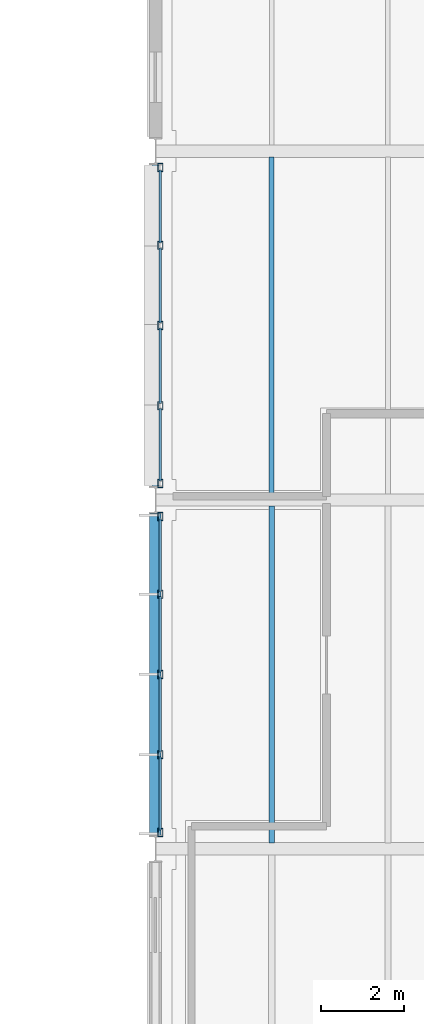
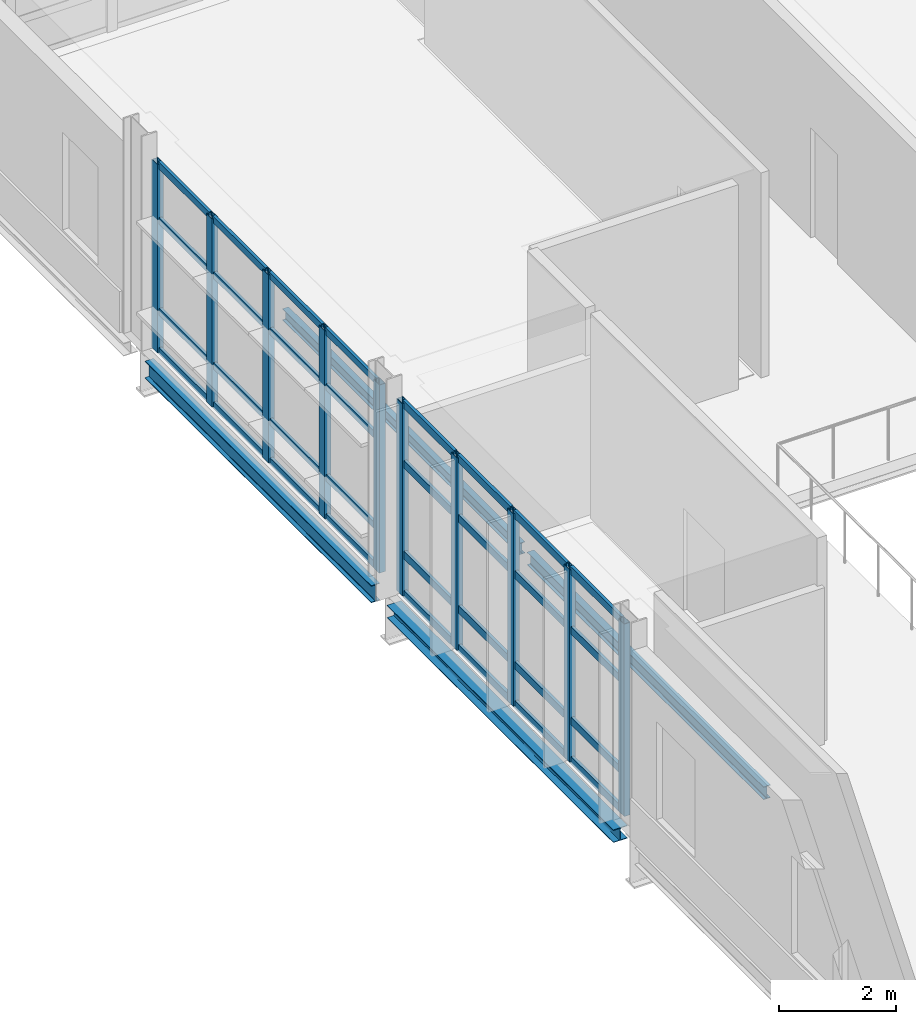
# One storey, part 44 of 129: 42 members, 4 beams, 2 elements without a shape of their own.
"""IFC4 building model written with IfcOpenShell, lengths in metres."""

from ifc_helpers import new_model, si_unit, direction, frame, origin, origin_2d, place, context, subcontext, project, spatial, hollow_rectangle, i_section, extrude, material, material_profile, profile_set, type_object, element, aggregate, save


model = new_model("IFC4")

# Units and contexts
model_context = context("Model", 3, precision=1e-05, world=origin(), true_north=direction((0.0, 1.0)))
body_context = subcontext(model_context, "Body", "Model", "MODEL_VIEW")
ifc_project = project(units=[si_unit("LENGTHUNIT", "METRE"), si_unit("AREAUNIT", "SQUARE_METRE"), si_unit("VOLUMEUNIT", "CUBIC_METRE"), si_unit("PLANEANGLEUNIT", "RADIAN"), si_unit("MASSUNIT", "GRAM", prefix="KILO")], contexts=[model_context])

# Site, building, storey
site_placement = place(None, origin())
site = spatial("IfcSite", under=ifc_project, at=site_placement, CompositionType="ELEMENT")
building_placement = place(site_placement, origin())
building = spatial("IfcBuilding", under=site, at=building_placement, Name="Mersafa Astral City Hall", CompositionType="ELEMENT")
storey_placement = place(building_placement, frame((0.0, 0.0, 5.39990234375)))
storey = spatial("IfcBuildingStorey", under=building, at=storey_placement, Name="L01", CompositionType="ELEMENT", Elevation=5.39990234375)

# Curtain wall, members
ifc_material_1 = material(Name="Anodised bronze aluminium framing", Category="aluminium")
curtain_wall_type_1 = type_object("IfcCurtainWallType", Name="ENV-CW-4", PredefinedType="USERDEFINED", material=ifc_material_1)
curtain_wall_1_placement = place(storey_placement, origin())
curtain_wall_1 = element("IfcCurtainWall", 1, at=curtain_wall_1_placement, inside=storey, type_object=curtain_wall_type_1, Name="L01 Unitised solar curtain wall 93", ObjectType="UNITISED CURTAIN WALL", PredefinedType="USERDEFINED")
ifc_material_profile_1 = material_profile(ifc_material_1, hollow_rectangle(XDim=0.1201171875, YDim=0.199951171875, WallThickness=0.008056640625, at=origin_2d()), Name="RHS 120x200x8")
ifc_profile_set_1 = profile_set([ifc_material_profile_1], Name="Anodised bronze aluminium framing")
member_type_1 = type_object("IfcMemberType", Name="ENV-CW-MUL-2", PredefinedType="MULLION", material=ifc_profile_set_1)
member_1_placement = place(storey_placement, frame((92.52001953125, 83.60302734375, -0.001953125), z_axis=(0.0, 0.0, 1.0), x_axis=(1.0, 0.0, 0.0)))
member_1 = element("IfcMember", 2, at=member_1_placement, type_object=member_type_1, Name="CW-4 mullion 1", PredefinedType="MULLION", context=body_context, shape_type="SweptSolid", body=[
    extrude(hollow_rectangle(XDim=0.1201171875, YDim=0.199951171875, WallThickness=0.008056640625, at=origin_2d()), origin(), (0.0, 0.0, 1.0), 3.93896484375),
])
member_2_placement = place(storey_placement, frame((92.52001953125, 81.7314453125, -0.001953125), z_axis=(0.0, 0.0, 1.0), x_axis=(1.0, 0.0, 0.0)))
member_2 = element("IfcMember", 3, at=member_2_placement, type_object=member_type_1, Name="CW-4 mullion 2", PredefinedType="MULLION", context=body_context, shape_type="SweptSolid", body=[
    extrude(hollow_rectangle(XDim=0.1201171875, YDim=0.199951171875, WallThickness=0.008056640625, at=origin_2d()), origin(), (0.0, 0.0, 1.0), 3.93896484375),
])
member_3_placement = place(storey_placement, frame((92.52001953125, 79.800048828125, -0.001953125), z_axis=(0.0, 0.0, 1.0), x_axis=(1.0, 0.0, 0.0)))
member_3 = element("IfcMember", 4, at=member_3_placement, type_object=member_type_1, Name="CW-4 mullion 3", PredefinedType="MULLION", context=body_context, shape_type="SweptSolid", body=[
    extrude(hollow_rectangle(XDim=0.1201171875, YDim=0.199951171875, WallThickness=0.008056640625, at=origin_2d()), origin(), (0.0, 0.0, 1.0), 3.93896484375),
])
member_4_placement = place(storey_placement, frame((92.52001953125, 77.868408203125, -0.001953125), z_axis=(0.0, 0.0, 1.0), x_axis=(1.0, 0.0, 0.0)))
member_4 = element("IfcMember", 5, at=member_4_placement, type_object=member_type_1, Name="CW-4 mullion 4", PredefinedType="MULLION", context=body_context, shape_type="SweptSolid", body=[
    extrude(hollow_rectangle(XDim=0.1201171875, YDim=0.199951171875, WallThickness=0.008056640625, at=origin_2d()), origin(), (0.0, 0.0, 1.0), 3.93896484375),
])
member_5_placement = place(storey_placement, frame((92.52001953125, 75.9970703125, -0.001953125), z_axis=(0.0, 0.0, 1.0), x_axis=(1.0, 0.0, 0.0)))
member_5 = element("IfcMember", 6, at=member_5_placement, type_object=member_type_1, Name="CW-4 mullion 5", PredefinedType="MULLION", context=body_context, shape_type="SweptSolid", body=[
    extrude(hollow_rectangle(XDim=0.1201171875, YDim=0.199951171875, WallThickness=0.008056640625, at=origin_2d()), origin(), (0.0, 0.0, 1.0), 3.93896484375),
])

curtain_wall_type_2 = type_object("IfcCurtainWallType", Name="ENV-CW-5", PredefinedType="USERDEFINED", material=ifc_material_1)
curtain_wall_2_placement = place(storey_placement, origin())
curtain_wall_2 = element("IfcCurtainWall", 7, at=curtain_wall_2_placement, inside=storey, type_object=curtain_wall_type_2, Name="L01 Unitised solar curtain wall 94", ObjectType="UNITISED CURTAIN WALL", PredefinedType="USERDEFINED")
member_6_placement = place(storey_placement, frame((92.52001953125, 75.202880859375, -0.001953125), z_axis=(0.0, 0.0, 1.0), x_axis=(1.0, 0.0, 0.0)))
member_6 = element("IfcMember", 8, at=member_6_placement, type_object=member_type_1, Name="CW-5 mullion 1", PredefinedType="MULLION", context=body_context, shape_type="SweptSolid", body=[
    extrude(hollow_rectangle(XDim=0.1201171875, YDim=0.199951171875, WallThickness=0.008056640625, at=origin_2d()), origin(), (0.0, 0.0, 1.0), 4.029052734375),
])
member_7_placement = place(storey_placement, frame((92.52001953125, 73.33154296875, -0.001953125), z_axis=(0.0, 0.0, 1.0), x_axis=(1.0, 0.0, 0.0)))
member_7 = element("IfcMember", 9, at=member_7_placement, type_object=member_type_1, Name="CW-5 mullion 2", PredefinedType="MULLION", context=body_context, shape_type="SweptSolid", body=[
    extrude(hollow_rectangle(XDim=0.1201171875, YDim=0.199951171875, WallThickness=0.008056640625, at=origin_2d()), origin(), (0.0, 0.0, 1.0), 4.029052734375),
])
member_8_placement = place(storey_placement, frame((92.52001953125, 71.39990234375, -0.001953125), z_axis=(0.0, 0.0, 1.0), x_axis=(1.0, 0.0, 0.0)))
member_8 = element("IfcMember", 10, at=member_8_placement, type_object=member_type_1, Name="CW-5 mullion 3", PredefinedType="MULLION", context=body_context, shape_type="SweptSolid", body=[
    extrude(hollow_rectangle(XDim=0.1201171875, YDim=0.199951171875, WallThickness=0.008056640625, at=origin_2d()), origin(), (0.0, 0.0, 1.0), 4.029052734375),
])
member_9_placement = place(storey_placement, frame((92.52001953125, 69.468505859375, -0.001953125), z_axis=(0.0, 0.0, 1.0), x_axis=(1.0, 0.0, 0.0)))
member_9 = element("IfcMember", 11, at=member_9_placement, type_object=member_type_1, Name="CW-5 mullion 4", PredefinedType="MULLION", context=body_context, shape_type="SweptSolid", body=[
    extrude(hollow_rectangle(XDim=0.1201171875, YDim=0.199951171875, WallThickness=0.008056640625, at=origin_2d()), origin(), (0.0, 0.0, 1.0), 4.029052734375),
])
member_10_placement = place(storey_placement, frame((92.52001953125, 67.596923828125, -0.001953125), z_axis=(0.0, 0.0, 1.0), x_axis=(1.0, 0.0, 0.0)))
member_10 = element("IfcMember", 12, at=member_10_placement, type_object=member_type_1, Name="CW-5 mullion 5", PredefinedType="MULLION", context=body_context, shape_type="SweptSolid", body=[
    extrude(hollow_rectangle(XDim=0.1201171875, YDim=0.199951171875, WallThickness=0.008056640625, at=origin_2d()), origin(), (0.0, 0.0, 1.0), 4.029052734375),
])

# Member
ifc_material_profile_2 = material_profile(ifc_material_1, hollow_rectangle(XDim=0.06005859375, YDim=0.139892578125, WallThickness=0.00390625, at=origin_2d()), Name="RHS 60x140x4")
ifc_profile_set_2 = profile_set([ifc_material_profile_2], Name="Anodised bronze aluminium framing")
member_type_2 = type_object("IfcMemberType", Name="ENV-CW-TRN-1", PredefinedType="USERDEFINED", material=ifc_profile_set_2)
member_11_placement = place(storey_placement, frame((92.52001953125, 83.54296875, 0.028076171875), z_axis=(0.0, -1.0, 0.0), x_axis=(1.0, 0.0, 0.0)))
member_11 = element("IfcMember", 13, at=member_11_placement, type_object=member_type_2, Name="CW-4 transom 1.1", ObjectType="TRANSOM", PredefinedType="USERDEFINED", context=body_context, shape_type="SweptSolid", body=[
    extrude(hollow_rectangle(XDim=0.06005859375, YDim=0.139892578125, WallThickness=0.00390625, at=origin_2d()), origin(), (0.0, 0.0, 1.0), 1.75146484375),
])

member_12_placement = place(storey_placement, frame((92.52001953125, 83.54296875, 0.85009765625), z_axis=(0.0, -1.0, 0.0), x_axis=(1.0, 0.0, 0.0)))
member_12 = element("IfcMember", 14, at=member_12_placement, type_object=member_type_2, Name="CW-4 transom 1.2", ObjectType="TRANSOM", PredefinedType="USERDEFINED", context=body_context, shape_type="SweptSolid", body=[
    extrude(hollow_rectangle(XDim=0.06005859375, YDim=0.139892578125, WallThickness=0.00390625, at=origin_2d()), origin(), (0.0, 0.0, 1.0), 1.75146484375),
])

member_13_placement = place(storey_placement, frame((92.52001953125, 83.54296875, 2.75), z_axis=(0.0, -1.0, 0.0), x_axis=(1.0, 0.0, 0.0)))
member_13 = element("IfcMember", 15, at=member_13_placement, type_object=member_type_2, Name="CW-4 transom 1.3", ObjectType="TRANSOM", PredefinedType="USERDEFINED", context=body_context, shape_type="SweptSolid", body=[
    extrude(hollow_rectangle(XDim=0.06005859375, YDim=0.139892578125, WallThickness=0.00390625, at=origin_2d()), origin(), (0.0, 0.0, 1.0), 1.75146484375),
])

member_14_placement = place(storey_placement, frame((92.52001953125, 83.54296875, 3.906982421875), z_axis=(0.0, -1.0, 0.0), x_axis=(1.0, 0.0, 0.0)))
member_14 = element("IfcMember", 16, at=member_14_placement, type_object=member_type_2, Name="CW-4 transom 1.4", ObjectType="TRANSOM", PredefinedType="USERDEFINED", context=body_context, shape_type="SweptSolid", body=[
    extrude(hollow_rectangle(XDim=0.06005859375, YDim=0.139892578125, WallThickness=0.00390625, at=origin_2d()), origin(), (0.0, 0.0, 1.0), 1.75146484375),
])

member_15_placement = place(storey_placement, frame((92.52001953125, 81.67138671875, 0.028076171875), z_axis=(0.0, -1.0, 0.0), x_axis=(1.0, 0.0, 0.0)))
member_15 = element("IfcMember", 17, at=member_15_placement, type_object=member_type_2, Name="CW-4 transom 2.1", ObjectType="TRANSOM", PredefinedType="USERDEFINED", context=body_context, shape_type="SweptSolid", body=[
    extrude(hollow_rectangle(XDim=0.06005859375, YDim=0.139892578125, WallThickness=0.00390625, at=origin_2d()), origin(), (0.0, 0.0, 1.0), 1.811279296875),
])

member_16_placement = place(storey_placement, frame((92.52001953125, 81.67138671875, 0.85009765625), z_axis=(0.0, -1.0, 0.0), x_axis=(1.0, 0.0, 0.0)))
member_16 = element("IfcMember", 18, at=member_16_placement, type_object=member_type_2, Name="CW-4 transom 2.2", ObjectType="TRANSOM", PredefinedType="USERDEFINED", context=body_context, shape_type="SweptSolid", body=[
    extrude(hollow_rectangle(XDim=0.06005859375, YDim=0.139892578125, WallThickness=0.00390625, at=origin_2d()), origin(), (0.0, 0.0, 1.0), 1.811279296875),
])

member_17_placement = place(storey_placement, frame((92.52001953125, 81.67138671875, 2.75), z_axis=(0.0, -1.0, 0.0), x_axis=(1.0, 0.0, 0.0)))
member_17 = element("IfcMember", 19, at=member_17_placement, type_object=member_type_2, Name="CW-4 transom 2.3", ObjectType="TRANSOM", PredefinedType="USERDEFINED", context=body_context, shape_type="SweptSolid", body=[
    extrude(hollow_rectangle(XDim=0.06005859375, YDim=0.139892578125, WallThickness=0.00390625, at=origin_2d()), origin(), (0.0, 0.0, 1.0), 1.811279296875),
])

member_18_placement = place(storey_placement, frame((92.52001953125, 81.67138671875, 3.906982421875), z_axis=(0.0, -1.0, 0.0), x_axis=(1.0, 0.0, 0.0)))
member_18 = element("IfcMember", 20, at=member_18_placement, type_object=member_type_2, Name="CW-4 transom 2.4", ObjectType="TRANSOM", PredefinedType="USERDEFINED", context=body_context, shape_type="SweptSolid", body=[
    extrude(hollow_rectangle(XDim=0.06005859375, YDim=0.139892578125, WallThickness=0.00390625, at=origin_2d()), origin(), (0.0, 0.0, 1.0), 1.811279296875),
])

member_19_placement = place(storey_placement, frame((92.52001953125, 79.739990234375, 0.028076171875), z_axis=(0.0, -1.0, 0.0), x_axis=(1.0, 0.0, 0.0)))
member_19 = element("IfcMember", 21, at=member_19_placement, type_object=member_type_2, Name="CW-4 transom 3.1", ObjectType="TRANSOM", PredefinedType="USERDEFINED", context=body_context, shape_type="SweptSolid", body=[
    extrude(hollow_rectangle(XDim=0.06005859375, YDim=0.139892578125, WallThickness=0.00390625, at=origin_2d()), origin(), (0.0, 0.0, 1.0), 1.8115234375),
])

member_20_placement = place(storey_placement, frame((92.52001953125, 79.739990234375, 0.85009765625), z_axis=(0.0, -1.0, 0.0), x_axis=(1.0, 0.0, 0.0)))
member_20 = element("IfcMember", 22, at=member_20_placement, type_object=member_type_2, Name="CW-4 transom 3.2", ObjectType="TRANSOM", PredefinedType="USERDEFINED", context=body_context, shape_type="SweptSolid", body=[
    extrude(hollow_rectangle(XDim=0.06005859375, YDim=0.139892578125, WallThickness=0.00390625, at=origin_2d()), origin(), (0.0, 0.0, 1.0), 1.8115234375),
])

member_21_placement = place(storey_placement, frame((92.52001953125, 79.739990234375, 2.75), z_axis=(0.0, -1.0, 0.0), x_axis=(1.0, 0.0, 0.0)))
member_21 = element("IfcMember", 23, at=member_21_placement, type_object=member_type_2, Name="CW-4 transom 3.3", ObjectType="TRANSOM", PredefinedType="USERDEFINED", context=body_context, shape_type="SweptSolid", body=[
    extrude(hollow_rectangle(XDim=0.06005859375, YDim=0.139892578125, WallThickness=0.00390625, at=origin_2d()), origin(), (0.0, 0.0, 1.0), 1.8115234375),
])

member_22_placement = place(storey_placement, frame((92.52001953125, 79.739990234375, 3.906982421875), z_axis=(0.0, -1.0, 0.0), x_axis=(1.0, 0.0, 0.0)))
member_22 = element("IfcMember", 24, at=member_22_placement, type_object=member_type_2, Name="CW-4 transom 3.4", ObjectType="TRANSOM", PredefinedType="USERDEFINED", context=body_context, shape_type="SweptSolid", body=[
    extrude(hollow_rectangle(XDim=0.06005859375, YDim=0.139892578125, WallThickness=0.00390625, at=origin_2d()), origin(), (0.0, 0.0, 1.0), 1.8115234375),
])

member_23_placement = place(storey_placement, frame((92.52001953125, 77.80859375, 0.028076171875), z_axis=(0.0, -1.0, 0.0), x_axis=(1.0, 0.0, 0.0)))
member_23 = element("IfcMember", 25, at=member_23_placement, type_object=member_type_2, Name="CW-4 transom 4.1", ObjectType="TRANSOM", PredefinedType="USERDEFINED", context=body_context, shape_type="SweptSolid", body=[
    extrude(hollow_rectangle(XDim=0.06005859375, YDim=0.139892578125, WallThickness=0.00390625, at=origin_2d()), origin(), (0.0, 0.0, 1.0), 1.751708984375),
])

member_24_placement = place(storey_placement, frame((92.52001953125, 77.80859375, 0.85009765625), z_axis=(0.0, -1.0, 0.0), x_axis=(1.0, 0.0, 0.0)))
member_24 = element("IfcMember", 26, at=member_24_placement, type_object=member_type_2, Name="CW-4 transom 4.2", ObjectType="TRANSOM", PredefinedType="USERDEFINED", context=body_context, shape_type="SweptSolid", body=[
    extrude(hollow_rectangle(XDim=0.06005859375, YDim=0.139892578125, WallThickness=0.00390625, at=origin_2d()), origin(), (0.0, 0.0, 1.0), 1.751708984375),
])

member_25_placement = place(storey_placement, frame((92.52001953125, 77.80859375, 2.75), z_axis=(0.0, -1.0, 0.0), x_axis=(1.0, 0.0, 0.0)))
member_25 = element("IfcMember", 27, at=member_25_placement, type_object=member_type_2, Name="CW-4 transom 4.3", ObjectType="TRANSOM", PredefinedType="USERDEFINED", context=body_context, shape_type="SweptSolid", body=[
    extrude(hollow_rectangle(XDim=0.06005859375, YDim=0.139892578125, WallThickness=0.00390625, at=origin_2d()), origin(), (0.0, 0.0, 1.0), 1.751708984375),
])

member_26_placement = place(storey_placement, frame((92.52001953125, 77.80859375, 3.906982421875), z_axis=(0.0, -1.0, 0.0), x_axis=(1.0, 0.0, 0.0)))
member_26 = element("IfcMember", 28, at=member_26_placement, type_object=member_type_2, Name="CW-4 transom 4.4", ObjectType="TRANSOM", PredefinedType="USERDEFINED", context=body_context, shape_type="SweptSolid", body=[
    extrude(hollow_rectangle(XDim=0.06005859375, YDim=0.139892578125, WallThickness=0.00390625, at=origin_2d()), origin(), (0.0, 0.0, 1.0), 1.751708984375),
])

aggregate(curtain_wall_1, [member_1, member_2, member_3, member_4, member_5, member_11, member_12, member_13, member_14, member_15, member_16, member_17, member_18, member_19, member_20, member_21, member_22, member_23, member_24, member_25, member_26])

ifc_material_profile_3 = material_profile(ifc_material_1, hollow_rectangle(XDim=0.06005859375, YDim=0.159912109375, WallThickness=0.00390625, at=origin_2d()), Name="RHS 60x160x4")
ifc_profile_set_3 = profile_set([ifc_material_profile_3], Name="Anodised bronze aluminium framing")
member_type_3 = type_object("IfcMemberType", Name="ENV-CW-TRN-2", PredefinedType="USERDEFINED", material=ifc_profile_set_3)
member_27_placement = place(storey_placement, frame((92.52001953125, 75.14306640625, 0.028076171875), z_axis=(0.0, -1.0, 0.0), x_axis=(1.0, 0.0, 0.0)))
member_27 = element("IfcMember", 29, at=member_27_placement, type_object=member_type_3, Name="CW-5 transom 1.1", ObjectType="TRANSOM", PredefinedType="USERDEFINED", context=body_context, shape_type="SweptSolid", body=[
    extrude(hollow_rectangle(XDim=0.06005859375, YDim=0.159912109375, WallThickness=0.00390625, at=origin_2d()), origin(), (0.0, 0.0, 1.0), 1.75146484375),
])

member_28_placement = place(storey_placement, frame((92.52001953125, 75.14306640625, 0.85009765625), z_axis=(0.0, -1.0, 0.0), x_axis=(1.0, 0.0, 0.0)))
member_28 = element("IfcMember", 30, at=member_28_placement, type_object=member_type_3, Name="CW-5 transom 1.2", ObjectType="TRANSOM", PredefinedType="USERDEFINED", context=body_context, shape_type="SweptSolid", body=[
    extrude(hollow_rectangle(XDim=0.06005859375, YDim=0.159912109375, WallThickness=0.00390625, at=origin_2d()), origin(), (0.0, 0.0, 1.0), 1.75146484375),
])

member_29_placement = place(storey_placement, frame((92.52001953125, 75.14306640625, 2.75), z_axis=(0.0, -1.0, 0.0), x_axis=(1.0, 0.0, 0.0)))
member_29 = element("IfcMember", 31, at=member_29_placement, type_object=member_type_3, Name="CW-5 transom 1.3", ObjectType="TRANSOM", PredefinedType="USERDEFINED", context=body_context, shape_type="SweptSolid", body=[
    extrude(hollow_rectangle(XDim=0.06005859375, YDim=0.159912109375, WallThickness=0.00390625, at=origin_2d()), origin(), (0.0, 0.0, 1.0), 1.75146484375),
])

member_30_placement = place(storey_placement, frame((92.52001953125, 75.14306640625, 3.9970703125), z_axis=(0.0, -1.0, 0.0), x_axis=(1.0, 0.0, 0.0)))
member_30 = element("IfcMember", 32, at=member_30_placement, type_object=member_type_3, Name="CW-5 transom 1.4", ObjectType="TRANSOM", PredefinedType="USERDEFINED", context=body_context, shape_type="SweptSolid", body=[
    extrude(hollow_rectangle(XDim=0.06005859375, YDim=0.159912109375, WallThickness=0.00390625, at=origin_2d()), origin(), (0.0, 0.0, 1.0), 1.75146484375),
])

member_31_placement = place(storey_placement, frame((92.52001953125, 73.271484375, 0.028076171875), z_axis=(0.0, -1.0, 0.0), x_axis=(1.0, 0.0, 0.0)))
member_31 = element("IfcMember", 33, at=member_31_placement, type_object=member_type_3, Name="CW-5 transom 2.1", ObjectType="TRANSOM", PredefinedType="USERDEFINED", context=body_context, shape_type="SweptSolid", body=[
    extrude(hollow_rectangle(XDim=0.06005859375, YDim=0.159912109375, WallThickness=0.00390625, at=origin_2d()), origin(), (0.0, 0.0, 1.0), 1.8115234375),
])

member_32_placement = place(storey_placement, frame((92.52001953125, 73.271484375, 0.85009765625), z_axis=(0.0, -1.0, 0.0), x_axis=(1.0, 0.0, 0.0)))
member_32 = element("IfcMember", 34, at=member_32_placement, type_object=member_type_3, Name="CW-5 transom 2.2", ObjectType="TRANSOM", PredefinedType="USERDEFINED", context=body_context, shape_type="SweptSolid", body=[
    extrude(hollow_rectangle(XDim=0.06005859375, YDim=0.159912109375, WallThickness=0.00390625, at=origin_2d()), origin(), (0.0, 0.0, 1.0), 1.8115234375),
])

member_33_placement = place(storey_placement, frame((92.52001953125, 73.271484375, 2.75), z_axis=(0.0, -1.0, 0.0), x_axis=(1.0, 0.0, 0.0)))
member_33 = element("IfcMember", 35, at=member_33_placement, type_object=member_type_3, Name="CW-5 transom 2.3", ObjectType="TRANSOM", PredefinedType="USERDEFINED", context=body_context, shape_type="SweptSolid", body=[
    extrude(hollow_rectangle(XDim=0.06005859375, YDim=0.159912109375, WallThickness=0.00390625, at=origin_2d()), origin(), (0.0, 0.0, 1.0), 1.8115234375),
])

member_34_placement = place(storey_placement, frame((92.52001953125, 73.271484375, 3.9970703125), z_axis=(0.0, -1.0, 0.0), x_axis=(1.0, 0.0, 0.0)))
member_34 = element("IfcMember", 36, at=member_34_placement, type_object=member_type_3, Name="CW-5 transom 2.4", ObjectType="TRANSOM", PredefinedType="USERDEFINED", context=body_context, shape_type="SweptSolid", body=[
    extrude(hollow_rectangle(XDim=0.06005859375, YDim=0.159912109375, WallThickness=0.00390625, at=origin_2d()), origin(), (0.0, 0.0, 1.0), 1.8115234375),
])

member_35_placement = place(storey_placement, frame((92.52001953125, 71.340087890625, 0.028076171875), z_axis=(0.0, -1.0, 0.0), x_axis=(1.0, 0.0, 0.0)))
member_35 = element("IfcMember", 37, at=member_35_placement, type_object=member_type_3, Name="CW-5 transom 3.1", ObjectType="TRANSOM", PredefinedType="USERDEFINED", context=body_context, shape_type="SweptSolid", body=[
    extrude(hollow_rectangle(XDim=0.06005859375, YDim=0.159912109375, WallThickness=0.00390625, at=origin_2d()), origin(), (0.0, 0.0, 1.0), 1.8115234375),
])

member_36_placement = place(storey_placement, frame((92.52001953125, 71.340087890625, 0.85009765625), z_axis=(0.0, -1.0, 0.0), x_axis=(1.0, 0.0, 0.0)))
member_36 = element("IfcMember", 38, at=member_36_placement, type_object=member_type_3, Name="CW-5 transom 3.2", ObjectType="TRANSOM", PredefinedType="USERDEFINED", context=body_context, shape_type="SweptSolid", body=[
    extrude(hollow_rectangle(XDim=0.06005859375, YDim=0.159912109375, WallThickness=0.00390625, at=origin_2d()), origin(), (0.0, 0.0, 1.0), 1.8115234375),
])

member_37_placement = place(storey_placement, frame((92.52001953125, 71.340087890625, 2.75), z_axis=(0.0, -1.0, 0.0), x_axis=(1.0, 0.0, 0.0)))
member_37 = element("IfcMember", 39, at=member_37_placement, type_object=member_type_3, Name="CW-5 transom 3.3", ObjectType="TRANSOM", PredefinedType="USERDEFINED", context=body_context, shape_type="SweptSolid", body=[
    extrude(hollow_rectangle(XDim=0.06005859375, YDim=0.159912109375, WallThickness=0.00390625, at=origin_2d()), origin(), (0.0, 0.0, 1.0), 1.8115234375),
])

member_38_placement = place(storey_placement, frame((92.52001953125, 71.340087890625, 3.9970703125), z_axis=(0.0, -1.0, 0.0), x_axis=(1.0, 0.0, 0.0)))
member_38 = element("IfcMember", 40, at=member_38_placement, type_object=member_type_3, Name="CW-5 transom 3.4", ObjectType="TRANSOM", PredefinedType="USERDEFINED", context=body_context, shape_type="SweptSolid", body=[
    extrude(hollow_rectangle(XDim=0.06005859375, YDim=0.159912109375, WallThickness=0.00390625, at=origin_2d()), origin(), (0.0, 0.0, 1.0), 1.8115234375),
])

member_39_placement = place(storey_placement, frame((92.52001953125, 69.408447265625, 0.028076171875), z_axis=(0.0, -1.0, 0.0), x_axis=(1.0, 0.0, 0.0)))
member_39 = element("IfcMember", 41, at=member_39_placement, type_object=member_type_3, Name="CW-5 transom 4.1", ObjectType="TRANSOM", PredefinedType="USERDEFINED", context=body_context, shape_type="SweptSolid", body=[
    extrude(hollow_rectangle(XDim=0.06005859375, YDim=0.159912109375, WallThickness=0.00390625, at=origin_2d()), origin(), (0.0, 0.0, 1.0), 1.75146484375),
])

member_40_placement = place(storey_placement, frame((92.52001953125, 69.408447265625, 0.85009765625), z_axis=(0.0, -1.0, 0.0), x_axis=(1.0, 0.0, 0.0)))
member_40 = element("IfcMember", 42, at=member_40_placement, type_object=member_type_3, Name="CW-5 transom 4.2", ObjectType="TRANSOM", PredefinedType="USERDEFINED", context=body_context, shape_type="SweptSolid", body=[
    extrude(hollow_rectangle(XDim=0.06005859375, YDim=0.159912109375, WallThickness=0.00390625, at=origin_2d()), origin(), (0.0, 0.0, 1.0), 1.75146484375),
])

member_41_placement = place(storey_placement, frame((92.52001953125, 69.408447265625, 2.75), z_axis=(0.0, -1.0, 0.0), x_axis=(1.0, 0.0, 0.0)))
member_41 = element("IfcMember", 43, at=member_41_placement, type_object=member_type_3, Name="CW-5 transom 4.3", ObjectType="TRANSOM", PredefinedType="USERDEFINED", context=body_context, shape_type="SweptSolid", body=[
    extrude(hollow_rectangle(XDim=0.06005859375, YDim=0.159912109375, WallThickness=0.00390625, at=origin_2d()), origin(), (0.0, 0.0, 1.0), 1.75146484375),
])

member_42_placement = place(storey_placement, frame((92.52001953125, 69.408447265625, 3.9970703125), z_axis=(0.0, -1.0, 0.0), x_axis=(1.0, 0.0, 0.0)))
member_42 = element("IfcMember", 44, at=member_42_placement, type_object=member_type_3, Name="CW-5 transom 4.4", ObjectType="TRANSOM", PredefinedType="USERDEFINED", context=body_context, shape_type="SweptSolid", body=[
    extrude(hollow_rectangle(XDim=0.06005859375, YDim=0.159912109375, WallThickness=0.00390625, at=origin_2d()), origin(), (0.0, 0.0, 1.0), 1.75146484375),
])

aggregate(curtain_wall_2, [member_6, member_7, member_8, member_9, member_10, member_27, member_28, member_29, member_30, member_31, member_32, member_33, member_34, member_35, member_36, member_37, member_38, member_39, member_40, member_41, member_42])

# Beams
ifc_material_2 = material(Name="Steel S355", Category="steel")
ifc_material_profile_4 = material_profile(ifc_material_2, i_section(OverallWidth=0.1201171875, OverallDepth=0.239990234375, WebThickness=0.006103515625, FlangeThickness=0.009765625, FilletRadius=0.014892578125, at=origin_2d()), Name="IPE 240")
ifc_profile_set_4 = profile_set([ifc_material_profile_4], Name="Steel S355")
beam_type_1 = type_object("IfcBeamType", Name="STR-BM-JOIST-IPE240", PredefinedType="JOIST", material=ifc_profile_set_4)
beam_1_placement = place(storey_placement, frame((95.199951171875, 75.7451171875, -0.344970703125), z_axis=(0.0, 1.0, 0.0), x_axis=(-1.0, 0.0, 0.0)))
element("IfcBeam", 45, at=beam_1_placement, inside=storey, type_object=beam_type_1, Name="L01 Composite secondary floor joist 280", PredefinedType="JOIST", context=body_context, shape_type="SweptSolid", body=[
    extrude(i_section(OverallWidth=0.1201171875, OverallDepth=0.239990234375, WebThickness=0.006103515625, FlangeThickness=0.009765625, FilletRadius=0.014892578125, at=origin_2d()), origin(), (0.0, 0.0, 1.0), 8.10986328125),
])
ifc_material_profile_5 = material_profile(ifc_material_2, i_section(OverallWidth=0.135009765625, OverallDepth=0.27001953125, WebThickness=0.006591796875, FlangeThickness=0.01025390625, FilletRadius=0.014892578125, at=origin_2d()), Name="IPE 270")
ifc_profile_set_5 = profile_set([ifc_material_profile_5], Name="Steel S355")
beam_type_2 = type_object("IfcBeamType", Name="STR-BM-JOIST-IPE270", PredefinedType="JOIST", material=ifc_profile_set_5)
beam_2_placement = place(storey_placement, frame((95.199951171875, 67.344970703125, -0.35986328125), z_axis=(0.0, 1.0, 0.0), x_axis=(-1.0, 0.0, 0.0)))
element("IfcBeam", 46, at=beam_2_placement, inside=storey, type_object=beam_type_2, Name="L01 Composite secondary floor joist 278", PredefinedType="JOIST", context=body_context, shape_type="SweptSolid", body=[
    extrude(i_section(OverallWidth=0.135009765625, OverallDepth=0.27001953125, WebThickness=0.006591796875, FlangeThickness=0.01025390625, FilletRadius=0.014892578125, at=origin_2d()), origin(), (0.0, 0.0, 1.0), 8.110107421875),
])
ifc_material_profile_6 = material_profile(ifc_material_2, i_section(OverallWidth=0.280029296875, OverallDepth=0.27001953125, WebThickness=0.008056640625, FlangeThickness=0.012939453125, FilletRadius=0.02392578125, at=origin_2d()), Name="HEA 280")
ifc_profile_set_6 = profile_set([ifc_material_profile_6], Name="Steel S355")
beam_type_3 = type_object("IfcBeamType", Name="STR-BM-SPANDREL-HEA280", PredefinedType="SPANDREL", material=ifc_profile_set_6)
beam_3_placement = place(storey_placement, frame((92.39990234375, 67.52001953125, -0.35986328125), z_axis=(0.0, 1.0, 0.0), x_axis=(-1.0, 0.0, 0.0)))
element("IfcBeam", 47, at=beam_3_placement, inside=storey, type_object=beam_type_3, Name="L01 Primary girder Y 11-8", PredefinedType="SPANDREL", context=body_context, shape_type="SweptSolid", body=[
    extrude(i_section(OverallWidth=0.280029296875, OverallDepth=0.27001953125, WebThickness=0.008056640625, FlangeThickness=0.012939453125, FilletRadius=0.02392578125, at=origin_2d()), origin(), (0.0, 0.0, 1.0), 7.760009765625),
])
ifc_material_profile_7 = material_profile(ifc_material_2, i_section(OverallWidth=0.169921875, OverallDepth=0.360107421875, WebThickness=0.008056640625, FlangeThickness=0.0126953125, FilletRadius=0.01806640625, at=origin_2d()), Name="IPE 360")
ifc_profile_set_7 = profile_set([ifc_material_profile_7], Name="Steel S355")
beam_type_4 = type_object("IfcBeamType", Name="STR-BM-SPANDREL-IPE360", PredefinedType="SPANDREL", material=ifc_profile_set_7)
beam_4_placement = place(storey_placement, frame((92.39990234375, 75.919921875, -0.40478515625), z_axis=(0.0, 1.0, 0.0), x_axis=(-1.0, 0.0, 0.0)))
element("IfcBeam", 48, at=beam_4_placement, inside=storey, type_object=beam_type_4, Name="L01 Primary girder Y 11-9", PredefinedType="SPANDREL", context=body_context, shape_type="SweptSolid", body=[
    extrude(i_section(OverallWidth=0.169921875, OverallDepth=0.360107421875, WebThickness=0.008056640625, FlangeThickness=0.0126953125, FilletRadius=0.01806640625, at=origin_2d()), origin(), (0.0, 0.0, 1.0), 7.760009765625),
])

save(model, "model.ifc")
